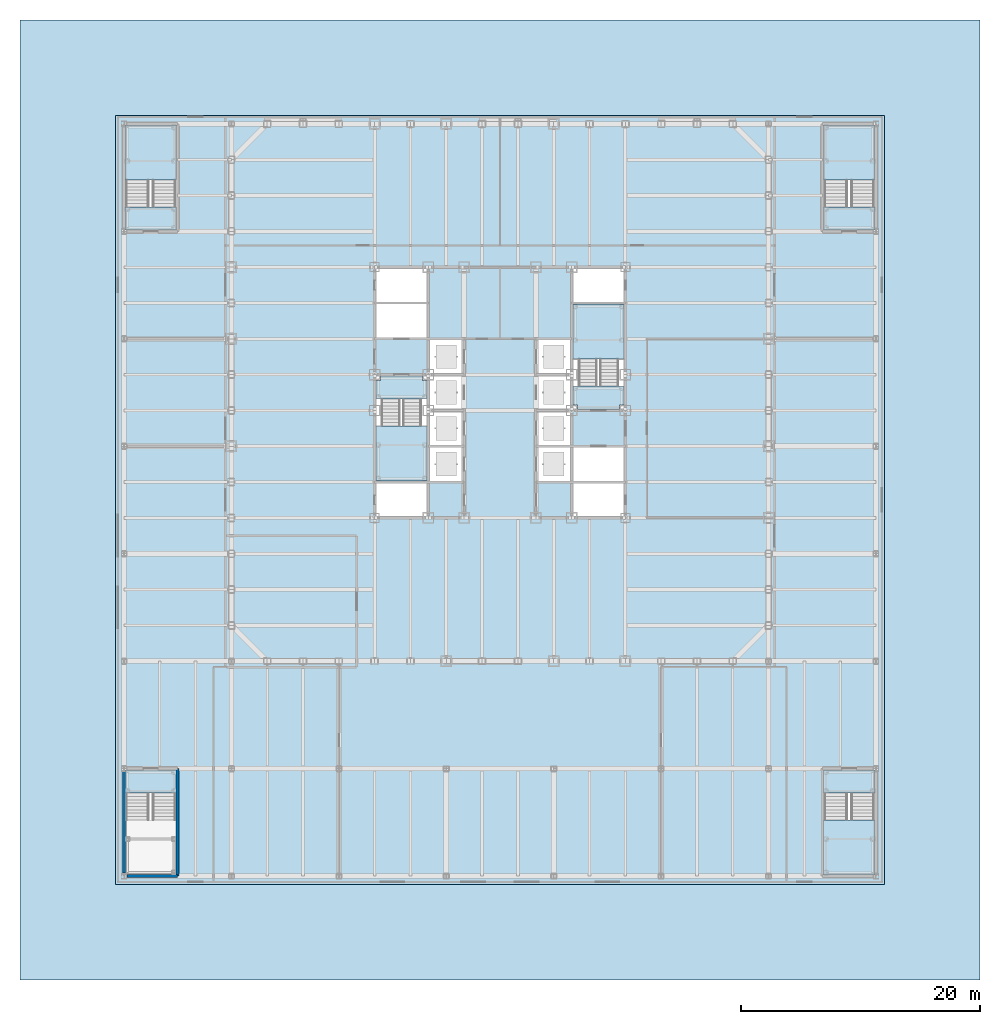
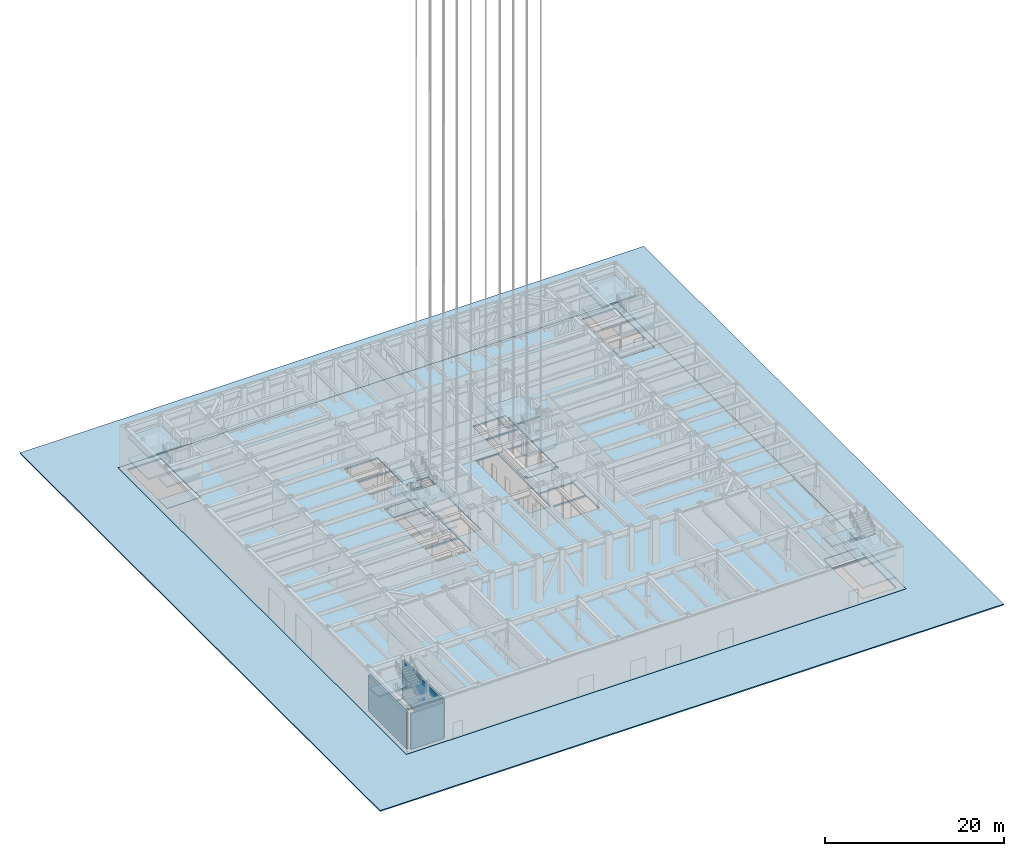
# One storey, part 6 of 35: 24 slabs, 3 walls, 6 elements without a shape of their own.
"""IFC4 building model written with IfcOpenShell, lengths in metres."""

from ifc_helpers import new_model, si_unit, direction, frame, frame_2d, origin, place, context, subcontext, project, spatial, polyline, rectangle, outline, extrude, material, layer, layer_set, type_object, element, aggregate, save


model = new_model("IFC4")

# Units and contexts
model_context = context("Model", 3, precision=1e-05, world=origin(), true_north=direction((0.0, 1.0)))
body_context = subcontext(model_context, "Body", "Model", "MODEL_VIEW")
ifc_project = project(units=[si_unit("LENGTHUNIT", "METRE"), si_unit("AREAUNIT", "SQUARE_METRE"), si_unit("VOLUMEUNIT", "CUBIC_METRE"), si_unit("PLANEANGLEUNIT", "RADIAN"), si_unit("MASSUNIT", "GRAM", prefix="KILO")], contexts=[model_context])

# Site, building, storey
site_placement = place(None, origin())
site = spatial("IfcSite", under=ifc_project, at=site_placement, CompositionType="ELEMENT")
building_placement = place(site_placement, origin())
building = spatial("IfcBuilding", under=site, at=building_placement, Name="Chuquiago Exchange Tower", CompositionType="ELEMENT")
storey_placement = place(building_placement, origin())
storey = spatial("IfcBuildingStorey", under=building, at=storey_placement, Name="L00", CompositionType="ELEMENT", Elevation=0.0)

# Slabs
ifc_material_1 = material(Name="Concrete C30/37", Category="concrete")
ifc_layer_1 = layer(ifc_material_1, 0.199951171875)
ifc_layer_set_1 = layer_set([ifc_layer_1], Name="FS2 podium floor 200")
slab_type_1 = type_object("IfcSlabType", Name="FS2 podium floor 200", PredefinedType="FLOOR", material=ifc_layer_set_1)
slab_1_placement = place(storey_placement, frame((0.0, 0.0, -0.199951171875)))
element("IfcSlab", 1, at=slab_1_placement, inside=storey, type_object=slab_type_1, Name="L00 floor slab", PredefinedType="FLOOR", context=body_context, shape_type="SweptSolid", body=[
    extrude(outline(polyline([(54.699951171875, -18.699951171875), (54.699951171875, 45.699951171875), (-9.699951171875, 45.699951171875), (-9.699951171875, -18.699951171875), (54.699951171875, -18.699951171875)]), holes=[polyline([(16.39990234375, 15.10009765625), (12.10009765625, 15.10009765625), (12.10009765625, 23.89990234375), (16.39990234375, 23.89990234375), (16.39990234375, 15.10009765625)]), polyline([(32.89990234375, 21.10009765625), (28.60009765625, 21.10009765625), (28.60009765625, 29.89990234375), (32.89990234375, 29.89990234375), (32.89990234375, 21.10009765625)]), polyline([(16.39990234375, 12.10009765625), (12.10009765625, 12.10009765625), (12.10009765625, 14.89990234375), (16.39990234375, 14.89990234375), (16.39990234375, 12.10009765625)]), polyline([(16.39990234375, 30.10009765625), (12.10009765625, 30.10009765625), (12.10009765625, 32.89990234375), (16.39990234375, 32.89990234375), (16.39990234375, 30.10009765625)]), polyline([(32.89990234375, 12.10009765625), (28.60009765625, 12.10009765625), (28.60009765625, 14.89990234375), (32.89990234375, 14.89990234375), (32.89990234375, 12.10009765625)]), polyline([(32.89990234375, 30.10009765625), (28.60009765625, 30.10009765625), (28.60009765625, 32.89990234375), (32.89990234375, 32.89990234375), (32.89990234375, 30.10009765625)]), polyline([(16.39990234375, 27.10009765625), (12.10009765625, 27.10009765625), (12.10009765625, 29.89990234375), (16.39990234375, 29.89990234375), (16.39990234375, 27.10009765625)]), polyline([(32.89990234375, 15.10009765625), (28.60009765625, 15.10009765625), (28.60009765625, 17.89990234375), (32.89990234375, 17.89990234375), (32.89990234375, 15.10009765625)]), polyline([(19.39990234375, 15.10009765625), (16.60009765625, 15.10009765625), (16.60009765625, 26.89990234375), (19.39990234375, 26.89990234375), (19.39990234375, 15.10009765625)]), polyline([(28.39990234375, 15.10009765625), (25.60009765625, 15.10009765625), (25.60009765625, 26.89990234375), (28.39990234375, 26.89990234375), (28.39990234375, 15.10009765625)]), polyline([(-4.60009765625, -17.89990234375), (-8.89990234375, -17.89990234375), (-8.89990234375, -9.10009765625), (-4.60009765625, -9.10009765625), (-4.60009765625, -17.89990234375)]), polyline([(53.89990234375, -17.89990234375), (49.60009765625, -17.89990234375), (49.60009765625, -9.10009765625), (53.89990234375, -9.10009765625), (53.89990234375, -17.89990234375)]), polyline([(-4.60009765625, 36.10009765625), (-8.89990234375, 36.10009765625), (-8.89990234375, 44.89990234375), (-4.60009765625, 44.89990234375), (-4.60009765625, 36.10009765625)]), polyline([(53.89990234375, 36.10009765625), (49.60009765625, 36.10009765625), (49.60009765625, 44.89990234375), (53.89990234375, 44.89990234375), (53.89990234375, 36.10009765625)])]), origin(), (0.0, 0.0, 1.0), 0.199951171875),
])
ifc_material_2 = material(Name="Stone paving", Category="masonry")
ifc_layer_2 = layer(ifc_material_2, 0.14990234375)
ifc_layer_set_2 = layer_set([ifc_layer_2], Name="PV1 paving 150")
slab_type_2 = type_object("IfcSlabType", Name="PV1 paving 150", PredefinedType="USERDEFINED", material=ifc_layer_set_2)
slab_2_placement = place(storey_placement, frame((0.0, 0.0, -0.14990234375)))
element("IfcSlab", 2, at=slab_2_placement, inside=storey, type_object=slab_type_2, Name="Plaza paving", ObjectType="PAVING", PredefinedType="USERDEFINED", context=body_context, shape_type="SweptSolid", body=[
    extrude(outline(polyline([(-17.699951171875, -26.699951171875), (-17.699951171875, 53.699951171875), (62.699951171875, 53.699951171875), (62.699951171875, -26.699951171875), (-17.699951171875, -26.699951171875)]), holes=[polyline([(54.699951171875, 45.699951171875), (-9.699951171875, 45.699951171875), (-9.699951171875, -18.699951171875), (54.699951171875, -18.699951171875), (54.699951171875, 45.699951171875)])]), origin(), (0.0, 0.0, 1.0), 0.14990234375),
])

# Stair, slabs
ifc_material_3 = material(Name="Concrete C30/37, precast", Category="concrete")
stair_type_1 = type_object("IfcStairType", Name="ST1 double half-turn stair 6000", PredefinedType="DOUBLE_RETURN_STAIR", material=ifc_material_3)
stair_1_placement = place(storey_placement, origin())
stair_1 = element("IfcStair", 3, at=stair_1_placement, inside=storey, type_object=stair_type_1, Name="Stair ST1 L00", PredefinedType="DOUBLE_RETURN_STAIR")
ifc_material_4 = material(Name="Concrete C30/37, precast", Category="concrete")
ifc_layer_3 = layer(ifc_material_4, 0.199951171875)
ifc_layer_set_3 = layer_set([ifc_layer_3], Name="ST-L landing 200")
slab_type_3 = type_object("IfcSlabType", Name="ST-L landing 200", PredefinedType="LANDING", material=ifc_layer_set_3)
slab_3_placement = place(storey_placement, frame((0.0, 0.0, -0.199951171875)))
slab_3 = element("IfcSlab", 4, at=slab_3_placement, type_object=slab_type_3, Name="ST1 landing 1", PredefinedType="LANDING", context=body_context, shape_type="SweptSolid", body=[
    extrude(outline(polyline([(12.47509765625, 23.89990234375), (16.02490234375, 23.89990234375), (16.02490234375, 23.52490234375), (16.39990234375, 23.52490234375), (16.39990234375, 21.949951171875), (12.10009765625, 21.949951171875), (12.10009765625, 23.52490234375), (12.47509765625, 23.52490234375), (12.47509765625, 23.89990234375)])), origin(), (0.0, 0.0, 1.0), 0.199951171875),
])
slab_4_placement = place(storey_placement, frame((0.0, 0.0, 1.300048828125)))
slab_4 = element("IfcSlab", 5, at=slab_4_placement, type_object=slab_type_3, Name="ST1 landing 2", PredefinedType="LANDING", context=body_context, shape_type="SweptSolid", body=[
    extrude(outline(polyline([(12.10009765625, 19.7099609375), (16.39990234375, 19.7099609375), (16.39990234375, 15.10009765625), (12.10009765625, 15.10009765625), (12.10009765625, 19.7099609375)])), origin(), (0.0, 0.0, 1.0), 0.199951171875),
])
slab_5_placement = place(storey_placement, frame((0.0, 0.0, 2.800048828125)))
slab_5 = element("IfcSlab", 6, at=slab_5_placement, type_object=slab_type_3, Name="ST1 landing 3", PredefinedType="LANDING", context=body_context, shape_type="SweptSolid", body=[
    extrude(outline(polyline([(12.47509765625, 23.89990234375), (16.02490234375, 23.89990234375), (16.02490234375, 23.52490234375), (16.39990234375, 23.52490234375), (16.39990234375, 21.949951171875), (12.10009765625, 21.949951171875), (12.10009765625, 23.52490234375), (12.47509765625, 23.52490234375), (12.47509765625, 23.89990234375)])), origin(), (0.0, 0.0, 1.0), 0.199951171875),
])
slab_6_placement = place(storey_placement, frame((0.0, 0.0, 4.300048828125)))
slab_6 = element("IfcSlab", 7, at=slab_6_placement, type_object=slab_type_3, Name="ST1 landing 4", PredefinedType="LANDING", context=body_context, shape_type="SweptSolid", body=[
    extrude(outline(polyline([(12.10009765625, 19.7099609375), (16.39990234375, 19.7099609375), (16.39990234375, 15.10009765625), (12.10009765625, 15.10009765625), (12.10009765625, 19.7099609375)])), origin(), (0.0, 0.0, 1.0), 0.199951171875),
])
aggregate(stair_1, [slab_3, slab_4, slab_5, slab_6])

ifc_material_5 = material(Name="Concrete C30/37, precast", Category="concrete")
stair_type_2 = type_object("IfcStairType", Name="ST2 double half-turn stair 6000", PredefinedType="DOUBLE_RETURN_STAIR", material=ifc_material_5)
stair_2_placement = place(storey_placement, origin())
stair_2 = element("IfcStair", 8, at=stair_2_placement, inside=storey, type_object=stair_type_2, Name="Stair ST2 L00", PredefinedType="DOUBLE_RETURN_STAIR")
slab_7_placement = place(storey_placement, frame((0.0, 0.0, -0.199951171875)))
slab_7 = element("IfcSlab", 9, at=slab_7_placement, type_object=slab_type_3, Name="ST2 landing 1", PredefinedType="LANDING", context=body_context, shape_type="SweptSolid", body=[
    extrude(outline(polyline([(32.52490234375, 21.47509765625), (32.52490234375, 21.10009765625), (28.97509765625, 21.10009765625), (28.97509765625, 21.47509765625), (28.60009765625, 21.47509765625), (28.60009765625, 23.050048828125), (32.89990234375, 23.050048828125), (32.89990234375, 21.47509765625), (32.52490234375, 21.47509765625)])), origin(), (0.0, 0.0, 1.0), 0.199951171875),
])
slab_8_placement = place(storey_placement, frame((0.0, 0.0, 1.300048828125)))
slab_8 = element("IfcSlab", 10, at=slab_8_placement, type_object=slab_type_3, Name="ST2 landing 2", PredefinedType="LANDING", context=body_context, shape_type="SweptSolid", body=[
    extrude(outline(polyline([(28.60009765625, 29.89990234375), (32.89990234375, 29.89990234375), (32.89990234375, 25.2900390625), (28.60009765625, 25.2900390625), (28.60009765625, 29.89990234375)])), origin(), (0.0, 0.0, 1.0), 0.199951171875),
])
slab_9_placement = place(storey_placement, frame((0.0, 0.0, 2.800048828125)))
slab_9 = element("IfcSlab", 11, at=slab_9_placement, type_object=slab_type_3, Name="ST2 landing 3", PredefinedType="LANDING", context=body_context, shape_type="SweptSolid", body=[
    extrude(outline(polyline([(32.52490234375, 21.47509765625), (32.52490234375, 21.10009765625), (28.97509765625, 21.10009765625), (28.97509765625, 21.47509765625), (28.60009765625, 21.47509765625), (28.60009765625, 23.050048828125), (32.89990234375, 23.050048828125), (32.89990234375, 21.47509765625), (32.52490234375, 21.47509765625)])), origin(), (0.0, 0.0, 1.0), 0.199951171875),
])
slab_10_placement = place(storey_placement, frame((0.0, 0.0, 4.300048828125)))
slab_10 = element("IfcSlab", 12, at=slab_10_placement, type_object=slab_type_3, Name="ST2 landing 4", PredefinedType="LANDING", context=body_context, shape_type="SweptSolid", body=[
    extrude(outline(polyline([(28.60009765625, 29.89990234375), (32.89990234375, 29.89990234375), (32.89990234375, 25.2900390625), (28.60009765625, 25.2900390625), (28.60009765625, 29.89990234375)])), origin(), (0.0, 0.0, 1.0), 0.199951171875),
])
aggregate(stair_2, [slab_7, slab_8, slab_9, slab_10])

ifc_material_6 = material(Name="Concrete C30/37, precast", Category="concrete")
stair_type_3 = type_object("IfcStairType", Name="PS1 double half-turn stair 6000", PredefinedType="DOUBLE_RETURN_STAIR", material=ifc_material_6)
stair_3_placement = place(storey_placement, origin())
stair_3 = element("IfcStair", 13, at=stair_3_placement, inside=storey, type_object=stair_type_3, Name="Stair PS1 L00", PredefinedType="DOUBLE_RETURN_STAIR")
slab_11_placement = place(storey_placement, frame((0.0, 0.0, -0.199951171875)))
slab_11 = element("IfcSlab", 14, at=slab_11_placement, type_object=slab_type_3, Name="PS1 landing 1", PredefinedType="LANDING", context=body_context, shape_type="SweptSolid", body=[
    extrude(outline(polyline([(-4.60009765625, -11.050048828125), (-4.60009765625, -9.10009765625), (-8.89990234375, -9.10009765625), (-8.89990234375, -11.050048828125), (-4.60009765625, -11.050048828125)])), origin(), (0.0, 0.0, 1.0), 0.199951171875),
])
slab_12_placement = place(storey_placement, frame((0.0, 0.0, 2.800048828125)))
slab_12 = element("IfcSlab", 15, at=slab_12_placement, type_object=slab_type_3, Name="PS1 landing 3", PredefinedType="LANDING", context=body_context, shape_type="SweptSolid", body=[
    extrude(outline(polyline([(-8.89990234375, -9.10009765625), (-4.60009765625, -9.10009765625), (-4.60009765625, -11.050048828125), (-8.89990234375, -11.050048828125), (-8.89990234375, -9.10009765625)])), origin(), (0.0, 0.0, 1.0), 0.199951171875),
])
aggregate(stair_3, [slab_11, slab_12])

ifc_material_7 = material(Name="Concrete C30/37, precast", Category="concrete")
stair_type_4 = type_object("IfcStairType", Name="PS2 double half-turn stair 6000", PredefinedType="DOUBLE_RETURN_STAIR", material=ifc_material_7)
stair_4_placement = place(storey_placement, origin())
stair_4 = element("IfcStair", 16, at=stair_4_placement, inside=storey, type_object=stair_type_4, Name="Stair PS2 L00", PredefinedType="DOUBLE_RETURN_STAIR")
slab_13_placement = place(storey_placement, frame((0.0, 0.0, -0.199951171875)))
slab_13 = element("IfcSlab", 17, at=slab_13_placement, type_object=slab_type_3, Name="PS2 landing 1", PredefinedType="LANDING", context=body_context, shape_type="SweptSolid", body=[
    extrude(outline(polyline([(53.89990234375, -11.050048828125), (53.89990234375, -9.10009765625), (49.60009765625, -9.10009765625), (49.60009765625, -11.050048828125), (53.89990234375, -11.050048828125)])), origin(), (0.0, 0.0, 1.0), 0.199951171875),
])
slab_14_placement = place(storey_placement, frame((0.0, 0.0, 1.300048828125)))
slab_14 = element("IfcSlab", 18, at=slab_14_placement, type_object=slab_type_3, Name="PS2 landing 2", PredefinedType="LANDING", context=body_context, shape_type="SweptSolid", body=[
    extrude(outline(polyline([(49.60009765625, -13.2900390625), (53.89990234375, -13.2900390625), (53.89990234375, -17.89990234375), (49.60009765625, -17.89990234375), (49.60009765625, -13.2900390625)])), origin(), (0.0, 0.0, 1.0), 0.199951171875),
])
slab_15_placement = place(storey_placement, frame((0.0, 0.0, 2.800048828125)))
slab_15 = element("IfcSlab", 19, at=slab_15_placement, type_object=slab_type_3, Name="PS2 landing 3", PredefinedType="LANDING", context=body_context, shape_type="SweptSolid", body=[
    extrude(outline(polyline([(49.60009765625, -9.10009765625), (53.89990234375, -9.10009765625), (53.89990234375, -11.050048828125), (49.60009765625, -11.050048828125), (49.60009765625, -9.10009765625)])), origin(), (0.0, 0.0, 1.0), 0.199951171875),
])
slab_16_placement = place(storey_placement, frame((0.0, 0.0, 4.300048828125)))
slab_16 = element("IfcSlab", 20, at=slab_16_placement, type_object=slab_type_3, Name="PS2 landing 4", PredefinedType="LANDING", context=body_context, shape_type="SweptSolid", body=[
    extrude(outline(polyline([(49.60009765625, -13.2900390625), (53.89990234375, -13.2900390625), (53.89990234375, -17.89990234375), (49.60009765625, -17.89990234375), (49.60009765625, -13.2900390625)])), origin(), (0.0, 0.0, 1.0), 0.199951171875),
])
aggregate(stair_4, [slab_13, slab_14, slab_15, slab_16])

ifc_material_8 = material(Name="Concrete C30/37, precast", Category="concrete")
stair_type_5 = type_object("IfcStairType", Name="PS3 double half-turn stair 6000", PredefinedType="DOUBLE_RETURN_STAIR", material=ifc_material_8)
stair_5_placement = place(storey_placement, origin())
stair_5 = element("IfcStair", 21, at=stair_5_placement, inside=storey, type_object=stair_type_5, Name="Stair PS3 L00", PredefinedType="DOUBLE_RETURN_STAIR")
slab_17_placement = place(storey_placement, frame((0.0, 0.0, -0.199951171875)))
slab_17 = element("IfcSlab", 22, at=slab_17_placement, type_object=slab_type_3, Name="PS3 landing 1", PredefinedType="LANDING", context=body_context, shape_type="SweptSolid", body=[
    extrude(outline(polyline([(-4.60009765625, 36.10009765625), (-4.60009765625, 38.050048828125), (-8.89990234375, 38.050048828125), (-8.89990234375, 36.10009765625), (-4.60009765625, 36.10009765625)])), origin(), (0.0, 0.0, 1.0), 0.199951171875),
])
slab_18_placement = place(storey_placement, frame((0.0, 0.0, 1.300048828125)))
slab_18 = element("IfcSlab", 23, at=slab_18_placement, type_object=slab_type_3, Name="PS3 landing 2", PredefinedType="LANDING", context=body_context, shape_type="SweptSolid", body=[
    extrude(outline(polyline([(-8.89990234375, 44.89990234375), (-4.60009765625, 44.89990234375), (-4.60009765625, 40.2900390625), (-8.89990234375, 40.2900390625), (-8.89990234375, 44.89990234375)])), origin(), (0.0, 0.0, 1.0), 0.199951171875),
])
slab_19_placement = place(storey_placement, frame((0.0, 0.0, 2.800048828125)))
slab_19 = element("IfcSlab", 24, at=slab_19_placement, type_object=slab_type_3, Name="PS3 landing 3", PredefinedType="LANDING", context=body_context, shape_type="SweptSolid", body=[
    extrude(outline(polyline([(-8.89990234375, 38.050048828125), (-4.60009765625, 38.050048828125), (-4.60009765625, 36.10009765625), (-8.89990234375, 36.10009765625), (-8.89990234375, 38.050048828125)])), origin(), (0.0, 0.0, 1.0), 0.199951171875),
])
slab_20_placement = place(storey_placement, frame((0.0, 0.0, 4.300048828125)))
slab_20 = element("IfcSlab", 25, at=slab_20_placement, type_object=slab_type_3, Name="PS3 landing 4", PredefinedType="LANDING", context=body_context, shape_type="SweptSolid", body=[
    extrude(outline(polyline([(-8.89990234375, 44.89990234375), (-4.60009765625, 44.89990234375), (-4.60009765625, 40.2900390625), (-8.89990234375, 40.2900390625), (-8.89990234375, 44.89990234375)])), origin(), (0.0, 0.0, 1.0), 0.199951171875),
])
aggregate(stair_5, [slab_17, slab_18, slab_19, slab_20])

ifc_material_9 = material(Name="Concrete C30/37, precast", Category="concrete")
stair_type_6 = type_object("IfcStairType", Name="PS4 double half-turn stair 6000", PredefinedType="DOUBLE_RETURN_STAIR", material=ifc_material_9)
stair_6_placement = place(storey_placement, origin())
stair_6 = element("IfcStair", 26, at=stair_6_placement, inside=storey, type_object=stair_type_6, Name="Stair PS4 L00", PredefinedType="DOUBLE_RETURN_STAIR")
slab_21_placement = place(storey_placement, frame((0.0, 0.0, -0.199951171875)))
slab_21 = element("IfcSlab", 27, at=slab_21_placement, type_object=slab_type_3, Name="PS4 landing 1", PredefinedType="LANDING", context=body_context, shape_type="SweptSolid", body=[
    extrude(outline(polyline([(53.89990234375, 36.10009765625), (53.89990234375, 38.050048828125), (49.60009765625, 38.050048828125), (49.60009765625, 36.10009765625), (53.89990234375, 36.10009765625)])), origin(), (0.0, 0.0, 1.0), 0.199951171875),
])
slab_22_placement = place(storey_placement, frame((0.0, 0.0, 1.300048828125)))
slab_22 = element("IfcSlab", 28, at=slab_22_placement, type_object=slab_type_3, Name="PS4 landing 2", PredefinedType="LANDING", context=body_context, shape_type="SweptSolid", body=[
    extrude(outline(polyline([(49.60009765625, 44.89990234375), (53.89990234375, 44.89990234375), (53.89990234375, 40.2900390625), (49.60009765625, 40.2900390625), (49.60009765625, 44.89990234375)])), origin(), (0.0, 0.0, 1.0), 0.199951171875),
])
slab_23_placement = place(storey_placement, frame((0.0, 0.0, 2.800048828125)))
slab_23 = element("IfcSlab", 29, at=slab_23_placement, type_object=slab_type_3, Name="PS4 landing 3", PredefinedType="LANDING", context=body_context, shape_type="SweptSolid", body=[
    extrude(outline(polyline([(49.60009765625, 38.050048828125), (53.89990234375, 38.050048828125), (53.89990234375, 36.10009765625), (49.60009765625, 36.10009765625), (49.60009765625, 38.050048828125)])), origin(), (0.0, 0.0, 1.0), 0.199951171875),
])
slab_24_placement = place(storey_placement, frame((0.0, 0.0, 4.300048828125)))
slab_24 = element("IfcSlab", 30, at=slab_24_placement, type_object=slab_type_3, Name="PS4 landing 4", PredefinedType="LANDING", context=body_context, shape_type="SweptSolid", body=[
    extrude(outline(polyline([(49.60009765625, 44.89990234375), (53.89990234375, 44.89990234375), (53.89990234375, 40.2900390625), (49.60009765625, 40.2900390625), (49.60009765625, 44.89990234375)])), origin(), (0.0, 0.0, 1.0), 0.199951171875),
])
aggregate(stair_6, [slab_21, slab_22, slab_23, slab_24])

# Walls
ifc_material_10 = material(Name="Concrete masonry, fully grouted", Category="masonry")
ifc_layer_4 = layer(ifc_material_10, 0.25)
ifc_layer_set_4 = layer_set([ifc_layer_4], Name="W10 podium stair wall 250")
wall_type = type_object("IfcWallType", Name="W10 podium stair wall 250", PredefinedType="SOLIDWALL", material=ifc_layer_set_4)
wall_1_placement = place(storey_placement, frame((-8.75, -18.0, 0.0), z_axis=(0.0, 0.0, 1.0), x_axis=(1.0, 0.0, 0.0)))
element("IfcWall", 31, at=wall_1_placement, inside=storey, type_object=wall_type, Name="PSW-L00-PS1-00", PredefinedType="SOLIDWALL", context=body_context, shape_type="SweptSolid", body=[
    extrude(rectangle(XDim=4.25, YDim=0.25, at=frame_2d((2.125, 0.0))), origin(), (0.0, 0.0, 1.0), 4.8525390625),
])
wall_2_placement = place(storey_placement, frame((-4.5, -18.0, 0.0), z_axis=(0.0, 0.0, 1.0), x_axis=(0.0, 1.0, 0.0)))
element("IfcWall", 32, at=wall_2_placement, inside=storey, type_object=wall_type, Name="PSW-L00-PS1-10", PredefinedType="SOLIDWALL", context=body_context, shape_type="SweptSolid", body=[
    extrude(rectangle(XDim=9.0, YDim=0.25, at=frame_2d((4.5, 0.0))), origin(), (0.0, 0.0, 1.0), 5.197998046875),
])
wall_3_placement = place(storey_placement, frame((-9.0, -17.75, 0.0), z_axis=(0.0, 0.0, 1.0), x_axis=(0.0, 1.0, 0.0)))
element("IfcWall", 33, at=wall_3_placement, inside=storey, type_object=wall_type, Name="PSW-L00-PS1-30", PredefinedType="SOLIDWALL", context=body_context, shape_type="SweptSolid", body=[
    extrude(rectangle(XDim=8.5, YDim=0.25, at=frame_2d((4.25, 0.0))), origin(), (0.0, 0.0, 1.0), 4.8525390625),
])

save(model, "model.ifc")
